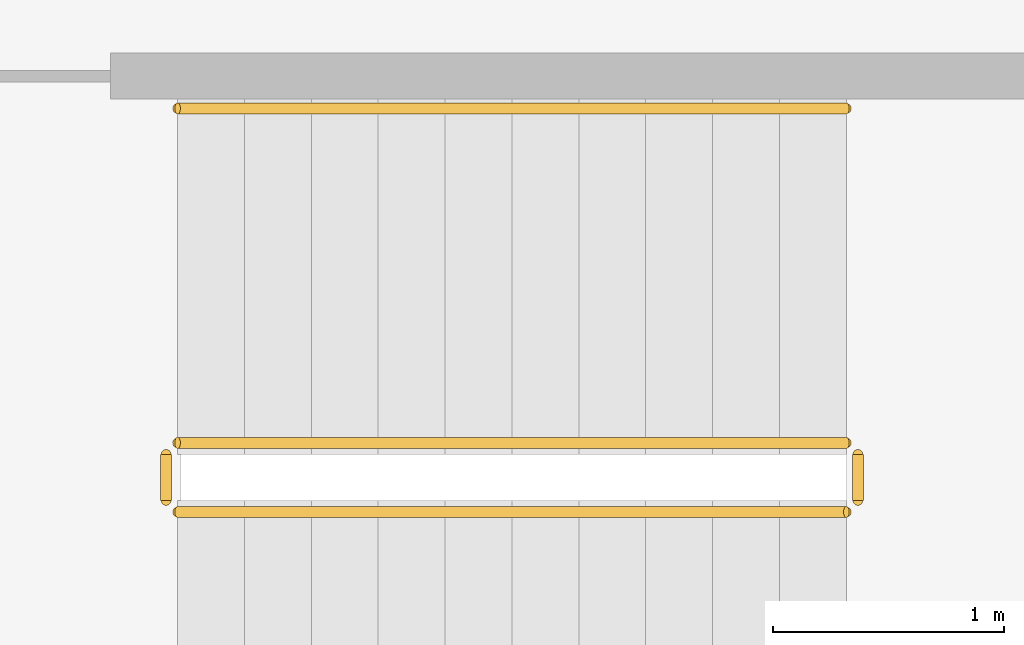
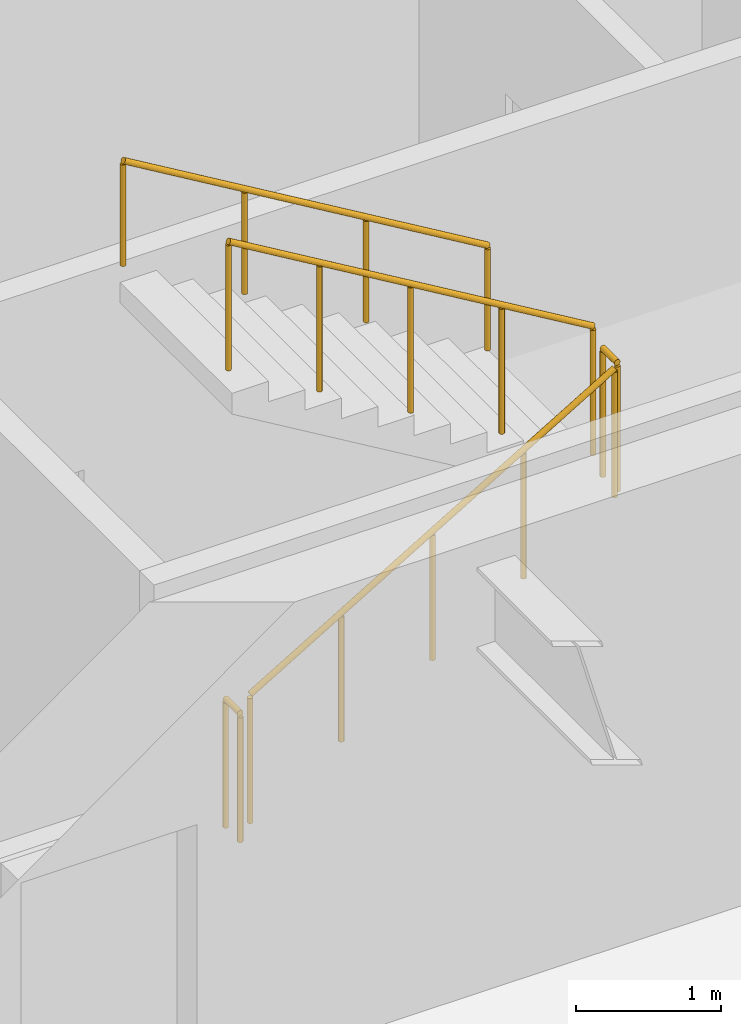
# One storey, part 23 of 24: 5 railings.
"""IFC4 building model written with IfcOpenShell, lengths in metres."""

from ifc_helpers import new_model, si_unit, direction, frame, origin, origin_2d, place, context, subcontext, project, spatial, circle, extrude, material, type_object, element, save


model = new_model("IFC4")

# Units and contexts
model_context = context("Model", 3, precision=1e-05, world=origin(), true_north=direction((0.0, 1.0)))
body_context = subcontext(model_context, "Body", "Model", "MODEL_VIEW")
ifc_project = project(units=[si_unit("LENGTHUNIT", "METRE"), si_unit("AREAUNIT", "SQUARE_METRE"), si_unit("VOLUMEUNIT", "CUBIC_METRE"), si_unit("PLANEANGLEUNIT", "RADIAN"), si_unit("MASSUNIT", "GRAM", prefix="KILO")], contexts=[model_context])

# Site, building, storey
site_placement = place(None, origin())
site = spatial("IfcSite", under=ifc_project, at=site_placement, CompositionType="ELEMENT")
building_placement = place(site_placement, origin())
building = spatial("IfcBuilding", under=site, at=building_placement, Name="Putna Gate Headquarters", CompositionType="ELEMENT")
storey_placement = place(building_placement, frame((0.0, 0.0, 236.60009765625)))
storey = spatial("IfcBuildingStorey", under=building, at=storey_placement, Name="L59", CompositionType="ELEMENT", Elevation=236.60009765625)

# Railings
ifc_material_1 = material(Name="Powder-coated steel stair guardrail", Category="steel")
railing_type_1 = type_object("IfcRailingType", Name="RAIL-STAIR-GUARD-1100", PredefinedType="GUARDRAIL", material=ifc_material_1)
railing_1_placement = place(storey_placement, frame((57.89990234375, 21.10009765625, 0.172607421875)))
element("IfcRailing", 1, at=railing_1_placement, inside=storey, type_object=railing_type_1, Name="L59 ST2 stair guard 1", PredefinedType="GUARDRAIL", context=body_context, shape_type="SweptSolid", body=[
    extrude(circle(Radius=0.02392578125, at=origin_2d()), frame((0.0, 0.0, 1.076171875), z_axis=(0.859160404282, 0.0, 0.51170636083), x_axis=(0.0, 1.0, 0.0)), (0.0, 0.0, 1.0), 3.37548828125),
    extrude(circle(Radius=0.02099609375, at=origin_2d()), origin(), (0.0, 0.0, 1.0), 1.052001953125),
    extrude(circle(Radius=0.02099609375, at=origin_2d()), frame((0.72509765625, 0.0, 0.431884765625)), (0.0, 0.0, 1.0), 1.052001953125),
    extrude(circle(Radius=0.02099609375, at=origin_2d()), frame((1.4501953125, 0.0, 0.86376953125)), (0.0, 0.0, 1.0), 1.052001953125),
    extrude(circle(Radius=0.02099609375, at=origin_2d()), frame((2.175048828125, 0.0, 1.29541015625)), (0.0, 0.0, 1.0), 1.052001953125),
    extrude(circle(Radius=0.02099609375, at=origin_2d()), frame((2.900146484375, 0.0, 1.727294921875)), (0.0, 0.0, 1.0), 1.052001953125),
])
railing_2_placement = place(storey_placement, frame((60.85009765625, 21.14990234375, 1.89990234375)))
element("IfcRailing", 2, at=railing_2_placement, inside=storey, type_object=railing_type_1, Name="L59 ST2 stair guard 2", PredefinedType="GUARDRAIL", context=body_context, shape_type="SweptSolid", body=[
    extrude(circle(Radius=0.02392578125, at=origin_2d()), frame((0.0, 0.0, 1.076171875), z_axis=(0.0, 1.0, 0.0), x_axis=(-1.0, 0.0, 0.0)), (0.0, 0.0, 1.0), 0.2001953125),
    extrude(circle(Radius=0.02099609375, at=origin_2d()), origin(), (0.0, 0.0, 1.0), 1.052001953125),
    extrude(circle(Radius=0.02099609375, at=origin_2d()), frame((0.0, 0.2001953125, 0.0)), (0.0, 0.0, 1.0), 1.052001953125),
])
railing_3_placement = place(storey_placement, frame((60.800048828125, 21.39990234375, 2.072509765625)))
element("IfcRailing", 3, at=railing_3_placement, inside=storey, type_object=railing_type_1, Name="L59 ST2 stair guard 3", PredefinedType="GUARDRAIL", context=body_context, shape_type="SweptSolid", body=[
    extrude(circle(Radius=0.02392578125, at=origin_2d()), frame((0.0, 0.0, 1.076171875), z_axis=(-0.859160404282, 0.0, 0.51170636083), x_axis=(0.0, -1.0, 0.0)), (0.0, 0.0, 1.0), 3.37548828125),
    extrude(circle(Radius=0.02099609375, at=origin_2d()), origin(), (0.0, 0.0, 1.0), 1.052001953125),
    extrude(circle(Radius=0.02099609375, at=origin_2d()), frame((-0.72509765625, 0.0, 0.431884765625)), (0.0, 0.0, 1.0), 1.052001953125),
    extrude(circle(Radius=0.02099609375, at=origin_2d()), frame((-1.4501953125, 0.0, 0.86376953125)), (0.0, 0.0, 1.0), 1.052001953125),
    extrude(circle(Radius=0.02099609375, at=origin_2d()), frame((-2.175048828125, 0.0, 1.29541015625)), (0.0, 0.0, 1.0), 1.052001953125),
    extrude(circle(Radius=0.02099609375, at=origin_2d()), frame((-2.900146484375, 0.0, 1.727294921875)), (0.0, 0.0, 1.0), 1.052001953125),
])
railing_4_placement = place(storey_placement, frame((57.85009765625, 21.14990234375, 0.0)))
element("IfcRailing", 4, at=railing_4_placement, inside=storey, type_object=railing_type_1, Name="L59 ST2 stair guard 4", PredefinedType="GUARDRAIL", context=body_context, shape_type="SweptSolid", body=[
    extrude(circle(Radius=0.02392578125, at=origin_2d()), frame((0.0, 0.0, 1.076171875), z_axis=(0.0, 1.0, 0.0), x_axis=(-1.0, 0.0, 0.0)), (0.0, 0.0, 1.0), 0.2001953125),
    extrude(circle(Radius=0.02099609375, at=origin_2d()), origin(), (0.0, 0.0, 1.0), 1.052001953125),
    extrude(circle(Radius=0.02099609375, at=origin_2d()), frame((0.0, 0.2001953125, 0.0)), (0.0, 0.0, 1.0), 1.052001953125),
])
ifc_material_2 = material(Name="Brushed stainless steel handrail", Category="steel")
railing_type_2 = type_object("IfcRailingType", Name="RAIL-STAIR-HAND-900", PredefinedType="HANDRAIL", material=ifc_material_2)
railing_5_placement = place(storey_placement, frame((60.800048828125, 22.85009765625, 2.072509765625)))
element("IfcRailing", 5, at=railing_5_placement, inside=storey, type_object=railing_type_2, Name="L59 ST2 stair handrail 2", PredefinedType="HANDRAIL", context=body_context, shape_type="SweptSolid", body=[
    extrude(circle(Radius=0.02392578125, at=origin_2d()), frame((0.0, 0.0, 0.8759765625), z_axis=(-0.859160404282, 0.0, 0.51170636083), x_axis=(0.0, -1.0, 0.0)), (0.0, 0.0, 1.0), 3.37548828125),
    extrude(circle(Radius=0.02099609375, at=origin_2d()), origin(), (0.0, 0.0, 1.0), 0.851806640625),
    extrude(circle(Radius=0.02099609375, at=origin_2d()), frame((-0.966796875, 0.0, 0.57568359375)), (0.0, 0.0, 1.0), 0.851806640625),
    extrude(circle(Radius=0.02099609375, at=origin_2d()), frame((-1.933349609375, 0.0, 1.151611328125)), (0.0, 0.0, 1.0), 0.851806640625),
    extrude(circle(Radius=0.02099609375, at=origin_2d()), frame((-2.900146484375, 0.0, 1.727294921875)), (0.0, 0.0, 1.0), 0.851806640625),
])

save(model, "model.ifc")
